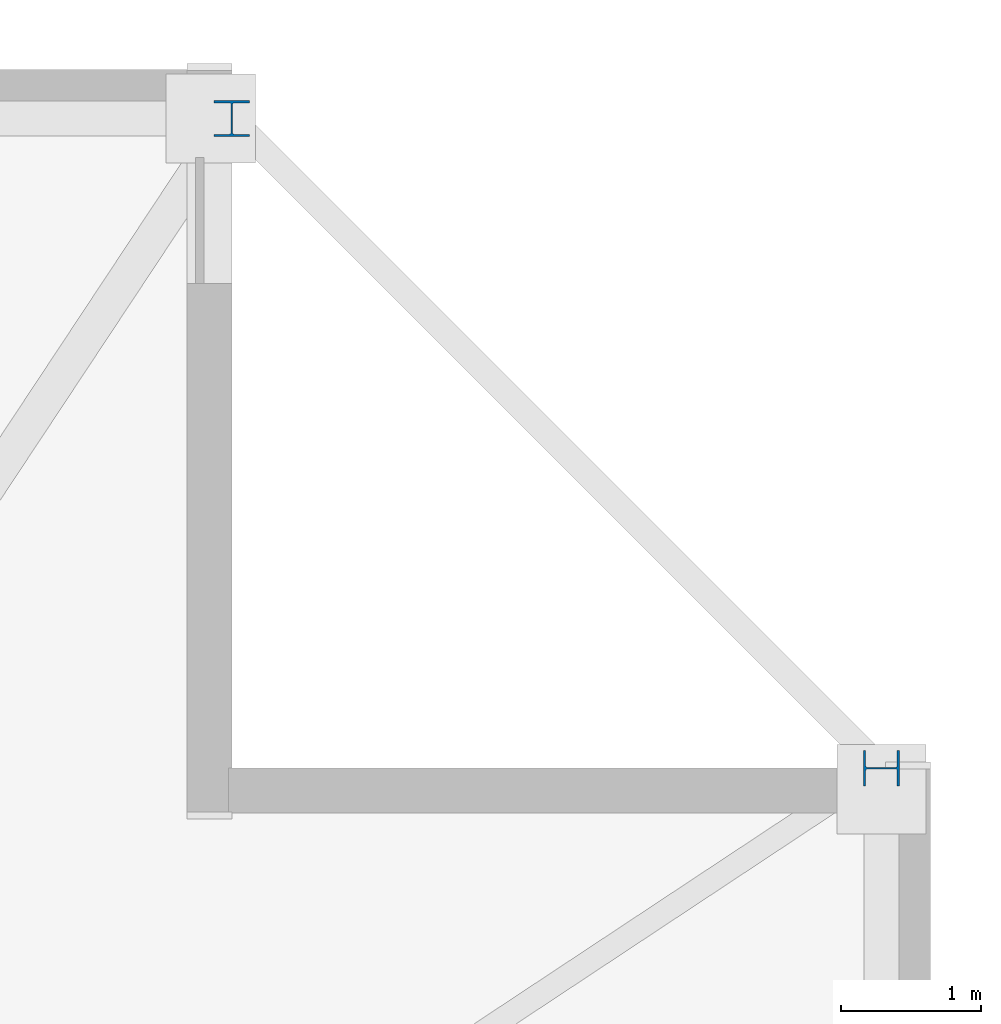
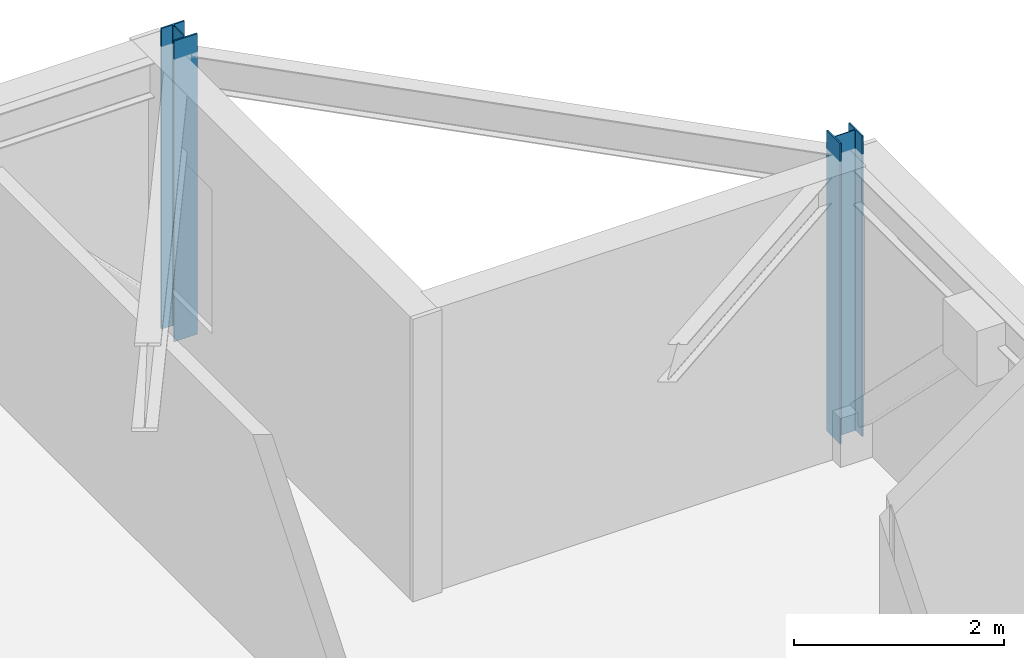
# One storey, part 5 of 17: 2 columns.
"""IFC4 building model written with IfcOpenShell, lengths in metres."""

from ifc_helpers import new_model, si_unit, direction, frame, origin, origin_2d, place, context, subcontext, project, spatial, i_section, extrude, material, material_profile, profile_set, type_object, element, save


model = new_model("IFC4")

# Units and contexts
model_context = context("Model", 3, precision=1e-05, world=origin(), true_north=direction((0.0, 1.0)))
body_context = subcontext(model_context, "Body", "Model", "MODEL_VIEW")
ifc_project = project(units=[si_unit("LENGTHUNIT", "METRE"), si_unit("AREAUNIT", "SQUARE_METRE"), si_unit("VOLUMEUNIT", "CUBIC_METRE"), si_unit("PLANEANGLEUNIT", "RADIAN"), si_unit("MASSUNIT", "GRAM", prefix="KILO")], contexts=[model_context])

# Site, building, storey
site_placement = place(None, origin())
site = spatial("IfcSite", under=ifc_project, at=site_placement, CompositionType="ELEMENT")
building_placement = place(site_placement, origin())
building = spatial("IfcBuilding", under=site, at=building_placement, Name="Cairnveth Concourse Tower", CompositionType="ELEMENT")
storey_placement = place(building_placement, frame((0.0, 0.0, 269.0)))
storey = spatial("IfcBuildingStorey", under=building, at=storey_placement, Name="L74", CompositionType="ELEMENT", Elevation=269.0)

# Columns
ifc_material = material(Name="Steel Grade 350", Category="steel")
ifc_material_profile = material_profile(ifc_material, i_section(OverallWidth=0.256103515625, OverallDepth=0.260009765625, WebThickness=0.010498046875, FlangeThickness=0.017333984375, FilletRadius=0.012939453125, at=origin_2d()), Name="250UC89.5")
ifc_profile_set = profile_set([ifc_material_profile], Name="Steel Grade 350")
column_type = type_object("IfcColumnType", Name="UNIVERSAL STEEL COLUMN 250UC89.5", PredefinedType="COLUMN", material=ifc_profile_set)
for number, where, z_axis, x_axis, name in (
    (1, (74.14990234375, 56.5, 0.0), (0.0, 0.0, 1.0), (0.0, 1.0, 0.0), "Column P-E4 L74"),
    (2, (69.5, 61.14990234375, 0.0), (0.0, 0.0, 1.0), (1.0, 0.0, 0.0), "Column P-N1 L74"),
):
    element("IfcColumn", number, at=place(storey_placement, frame(where, z_axis=z_axis, x_axis=x_axis)), inside=storey, type_object=column_type, Name=name, PredefinedType="COLUMN", context=body_context, shape_type="SweptSolid", body=[
        extrude(i_section(OverallWidth=0.256103515625, OverallDepth=0.260009765625, WebThickness=0.010498046875, FlangeThickness=0.017333984375, FilletRadius=0.012939453125, at=origin_2d()), origin(), (0.0, 0.0, 1.0), 3.5),
    ])

save(model, "model.ifc")
